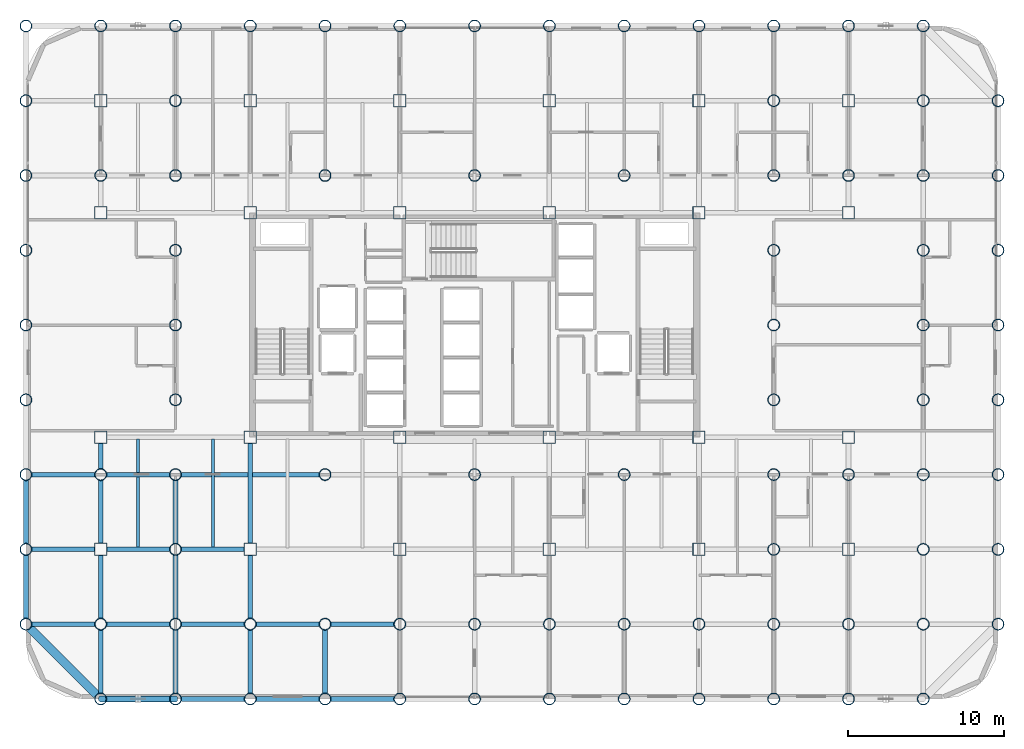
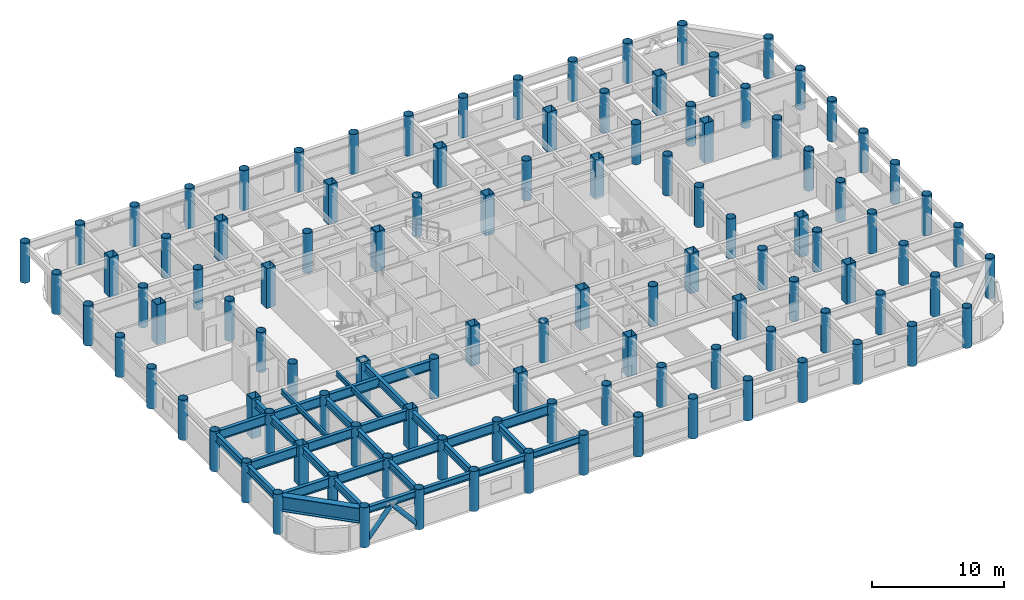
# One storey, part 1 of 20: 108 columns, 31 beams, 2 members.
"""IFC4 building model written with IfcOpenShell, lengths in metres."""

import ifcopenshell
import ifcopenshell.guid

model = None  # the IFC model being written
_history = None  # IfcOwnerHistory: only IFC2X3 demands one
_inside = {}  # id of a spatial element -> (the spatial element, [elements in it])
_under = {}  # id of a project, library or spatial element -> (it, [spatial elements below it])
_declared = {}  # id of a project -> (the project, [libraries it declares])
_typed = {}  # id of a type object -> (the type object, [elements of that type])
_made_of = {}  # id of a material, layer set ... -> (it, [elements and type objects made of it])


def new_model(schema):
    """Start an empty IFC model of exactly this schema.

    Asked for "IFC4X3", IfcOpenShell would pick the latest addendum, in which some entities
    have other attributes; the version numbers below select the first issue.
    IFC2X3 requires an IfcOwnerHistory on every rooted entity: one is made here for all.
    """
    global model, _history
    if schema == "IFC4X3":
        model = ifcopenshell.file(schema_version=(4, 3, 0, 0))
    else:
        model = ifcopenshell.file(schema=schema)
    _inside.clear()
    _under.clear()
    _declared.clear()
    _typed.clear()
    _made_of.clear()
    _history = None
    if model.schema == "IFC2X3":
        org = make("IfcOrganization", Name="unknown")
        user = make(
            "IfcPersonAndOrganization",
            ThePerson=make("IfcPerson", FamilyName="unknown"),
            TheOrganization=org,
        )
        app = make(
            "IfcApplication",
            ApplicationDeveloper=org,
            Version="unknown",
            ApplicationFullName="unknown",
            ApplicationIdentifier="unknown",
        )
        _history = make(
            "IfcOwnerHistory",
            OwningUser=user,
            OwningApplication=app,
            ChangeAction="ADDED",
            CreationDate=0,
        )
    return model


def make(cls, **values):
    """One entity of the class cls with the attributes given. An attribute that is None is left unset."""
    return model.create_entity(
        cls, **{name: value for name, value in values.items() if value is not None}
    )


def rooted(cls, **values):
    """An entity with a GlobalId (a new one), such as an element, a storey or a relation."""
    return make(cls, GlobalId=ifcopenshell.guid.new(), OwnerHistory=_history, **values)


def si_unit(unit_type, name, prefix=None):
    """IfcSIUnit, for example si_unit("LENGTHUNIT", "METRE", prefix="MILLI")."""
    return make("IfcSIUnit", UnitType=unit_type, Prefix=prefix, Name=name)


def assignment(units):
    """IfcUnitAssignment: the units of a project."""
    return None if units is None else make("IfcUnitAssignment", Units=units)


def point(xyz):
    """IfcCartesianPoint."""
    return None if xyz is None else make("IfcCartesianPoint", Coordinates=xyz)


def direction(xyz):
    """IfcDirection."""
    return None if xyz is None else make("IfcDirection", DirectionRatios=xyz)


def frame(location, z_axis=None, x_axis=None):
    """IfcAxis2Placement3D, a coordinate frame: its origin and axes. An axis left out is left unset."""
    return make(
        "IfcAxis2Placement3D",
        Location=point(location),
        Axis=direction(z_axis),
        RefDirection=direction(x_axis),
    )


def frame_2d(location, x_axis=None):
    """IfcAxis2Placement2D, a coordinate frame in the plane: its origin and x axis."""
    return make(
        "IfcAxis2Placement2D", Location=point(location), RefDirection=direction(x_axis)
    )


def origin():
    """The frame at (0, 0, 0) with its axes left unset."""
    return frame((0.0, 0.0, 0.0))


def origin_2d():
    """The frame at (0, 0) in the plane with its x axis left unset."""
    return frame_2d((0.0, 0.0))


def place(relative_to, where):
    """IfcLocalPlacement: puts the frame where relative to a parent placement (None: the world)."""
    return make(
        "IfcLocalPlacement", PlacementRelTo=relative_to, RelativePlacement=where
    )


def context(
    kind, dimensions, precision=None, world=None, true_north=None, identifier=None
):
    """IfcGeometricRepresentationContext, for example the 3D "Model" context."""
    return make(
        "IfcGeometricRepresentationContext",
        ContextIdentifier=identifier,
        ContextType=kind,
        CoordinateSpaceDimension=dimensions,
        Precision=precision,
        WorldCoordinateSystem=world,
        TrueNorth=true_north,
    )


def subcontext(parent, identifier, kind, view, scale=None):
    """IfcGeometricRepresentationSubContext, for example "Body" below "Model"."""
    return make(
        "IfcGeometricRepresentationSubContext",
        ContextIdentifier=identifier,
        ContextType=kind,
        ParentContext=parent,
        TargetScale=scale,
        TargetView=view,
    )


def project(units=None, contexts=None):
    """IfcProject with its units and contexts."""
    return rooted(
        "IfcProject",
        Name="project",
        RepresentationContexts=contexts,
        UnitsInContext=assignment(units),
    )


def spatial(cls, under=None, at=None, **own):
    """A site, building, storey or space (cls), placed at a placement, below another one or the project."""
    s = rooted(cls, ObjectPlacement=at, **own)
    if under is not None:
        _under.setdefault(under.id(), (under, []))[1].append(s)
    return s


def profile(cls, at=None, kind="AREA", **sizes):
    """A parametric profile (cls). Its sizes go by their IFC names, for example OverallWidth=200.0."""
    return make(cls, ProfileType=kind, Position=at, **sizes)


def hollow_rectangle(**sizes):
    """IfcRectangleHollowProfileDef."""
    return profile("IfcRectangleHollowProfileDef", **sizes)


def hollow_circle(**sizes):
    """IfcCircleHollowProfileDef."""
    return profile("IfcCircleHollowProfileDef", **sizes)


def i_section(**sizes):
    """IfcIShapeProfileDef."""
    return profile("IfcIShapeProfileDef", **sizes)


def extrude(swept, where, along, depth):
    """IfcExtrudedAreaSolid: the profile swept, set in the frame where, extruded along a direction by depth."""
    return make(
        "IfcExtrudedAreaSolid",
        SweptArea=swept,
        Position=where,
        ExtrudedDirection=direction(along),
        Depth=depth,
    )


def shape(context_of_items, identifier, shape_type, items):
    """IfcShapeRepresentation: the items that make up one representation, for example the "Body"."""
    return make(
        "IfcShapeRepresentation",
        ContextOfItems=context_of_items,
        RepresentationIdentifier=identifier,
        RepresentationType=shape_type,
        Items=items,
    )


def material(Name=None, Category=None):
    """IfcMaterial."""
    return make("IfcMaterial", Name=Name, Category=Category)


def material_profile(
    of_material, cross_section, Name=None, Category=None, Priority=None
):
    """IfcMaterialProfile: a cross section and its material."""
    return make(
        "IfcMaterialProfile",
        Name=Name,
        Material=of_material,
        Profile=cross_section,
        Priority=Priority,
        Category=Category,
    )


def profile_set(profiles, Name=None, composite=None):
    """IfcMaterialProfileSet."""
    return make(
        "IfcMaterialProfileSet",
        Name=Name,
        MaterialProfiles=profiles,
        CompositeProfile=composite,
    )


def made_of(thing, what):
    """Note that an element or type object is made of a material, layer set ...; save() writes the relation."""
    if what is not None:
        _made_of.setdefault(what.id(), (what, []))[1].append(thing)
    return thing


def type_object(cls, material=None, **own):
    """A type object (cls), such as IfcWallType, which elements share."""
    return made_of(rooted(cls, **own), material)


def element(
    cls,
    number,
    at=None,
    inside=None,
    cuts=None,
    type_object=None,
    material=None,
    context=None,
    identifier="Body",
    shape_type=None,
    held_by="IfcProductDefinitionShape",
    body=None,
    shapes=None,
    **own,
):
    """One element of the class cls, such as IfcWall. Its Tag is "e" and its number.

    at: its placement. inside: the storey or other place that contains it. cuts: it is an
    opening in that element (IfcRelVoidsElement). A single representation is given by context,
    identifier, shape_type and body (its items); several are given by shapes. held_by: the class
    of the entity that holds the representations. save() writes the other relations.
    """
    e = rooted(cls, Tag="e%d" % number, ObjectPlacement=at, **own)
    if body is not None:
        shapes = [shape(context, identifier, shape_type, body)]
    if shapes is not None:
        e.Representation = make(held_by, Representations=shapes)
    if inside is not None:
        _inside.setdefault(inside.id(), (inside, []))[1].append(e)
    if cuts is not None:
        rooted(
            "IfcRelVoidsElement", RelatingBuildingElement=cuts, RelatedOpeningElement=e
        )
    if type_object is not None:
        _typed.setdefault(type_object.id(), (type_object, []))[1].append(e)
    return made_of(e, material)


def aggregate(whole, parts):
    """IfcRelAggregates: a whole, such as a stair, and the parts it consists of."""
    return rooted("IfcRelAggregates", RelatingObject=whole, RelatedObjects=parts)


def save(model, path):
    """Write the relations noted so far, then the file.

    IfcRelAggregates (storeys below a building ...), IfcRelContainedInSpatialStructure (elements
    in a storey), IfcRelDefinesByType, IfcRelAssociatesMaterial and IfcRelDeclares: one each for
    every whole, place, type object, material and project.
    """
    for whole, parts in _under.values():
        aggregate(whole, parts)
    for where, things in _inside.values():
        rooted(
            "IfcRelContainedInSpatialStructure",
            RelatedElements=things,
            RelatingStructure=where,
        )
    for kind, things in _typed.values():
        rooted("IfcRelDefinesByType", RelatedObjects=things, RelatingType=kind)
    for what, things in _made_of.values():
        rooted("IfcRelAssociatesMaterial", RelatedObjects=things, RelatingMaterial=what)
    for by, libraries in _declared.values():
        rooted("IfcRelDeclares", RelatingContext=by, RelatedDefinitions=libraries)
    model.write(path)


model = new_model("IFC4")

# Units and contexts
model_context = context("Model", 3, precision=1e-05, world=origin(), true_north=direction((0.0, 1.0)))
body_context = subcontext(model_context, "Body", "Model", "MODEL_VIEW")
ifc_project = project(units=[si_unit("LENGTHUNIT", "METRE"), si_unit("AREAUNIT", "SQUARE_METRE"), si_unit("VOLUMEUNIT", "CUBIC_METRE"), si_unit("PLANEANGLEUNIT", "RADIAN"), si_unit("MASSUNIT", "GRAM", prefix="KILO")], contexts=[model_context])

# Site, building, storey
site_placement = place(None, origin())
site = spatial("IfcSite", under=ifc_project, at=site_placement, CompositionType="ELEMENT")
building_placement = place(site_placement, origin())
building = spatial("IfcBuilding", under=site, at=building_placement, Name="Kallvorn Hotel Tower", CompositionType="ELEMENT")
storey_placement = place(building_placement, frame((0.0, 0.0, 70.699951171875)))
storey = spatial("IfcBuildingStorey", under=building, at=storey_placement, Name="L16", CompositionType="ELEMENT", Elevation=70.699951171875)

# Columns
ifc_material_1 = material(Name="Structural steel S355J2H", Category="steel")
ifc_material_profile_1 = material_profile(ifc_material_1, hollow_circle(Radius=0.381103515625, WallThickness=0.031982421875, at=origin_2d()), Name="CHS 762x32")
ifc_profile_set_1 = profile_set([ifc_material_profile_1], Name="Structural steel S355J2H")
column_type_1 = type_object("IfcColumnType", Name="COL_CHS_762", PredefinedType="COLUMN", material=ifc_profile_set_1)
for number, where, z_axis, x_axis, name in (
    (1, (-28.800048828125, -19.199951171875, 0.0), (0.0, 0.0, 1.0), (1.0, 0.0, 0.0), "L16 Exoskeleton Column EC01"),
    (2, (-28.800048828125, -14.39990234375, 0.0), (0.0, 0.0, 1.0), (1.0, 0.0, 0.0), "L16 Exoskeleton Column EC02"),
    (3, (-28.800048828125, -9.60009765625, 0.0), (0.0, 0.0, 1.0), (1.0, 0.0, 0.0), "L16 Exoskeleton Column EC03"),
    (4, (-28.800048828125, -4.800048828125, 0.0), (0.0, 0.0, 1.0), (1.0, 0.0, 0.0), "L16 Exoskeleton Column EC04"),
    (5, (-28.800048828125, 0.0, 0.0), (0.0, 0.0, 1.0), (1.0, 0.0, 0.0), "L16 Exoskeleton Column EC05"),
    (6, (-28.800048828125, 4.800048828125, 0.0), (0.0, 0.0, 1.0), (1.0, 0.0, 0.0), "L16 Exoskeleton Column EC06"),
    (7, (-28.800048828125, 9.60009765625, 0.0), (0.0, 0.0, 1.0), (1.0, 0.0, 0.0), "L16 Exoskeleton Column EC07"),
    (8, (-28.800048828125, 14.39990234375, 0.0), (0.0, 0.0, 1.0), (1.0, 0.0, 0.0), "L16 Exoskeleton Column EC08"),
    (9, (-28.800048828125, 19.199951171875, 0.0), (0.0, 0.0, 1.0), (1.0, 0.0, 0.0), "L16 Exoskeleton Column EC09"),
    (10, (-24.0, -24.0, 0.0), (0.0, 0.0, 1.0), (1.0, 0.0, 0.0), "L16 Exoskeleton Column EC10"),
    (11, (-24.0, -19.199951171875, 0.0), (0.0, 0.0, 1.0), (1.0, 0.0, 0.0), "L16 Exoskeleton Column EC11"),
    (12, (-24.0, -9.60009765625, 0.0), (0.0, 0.0, 1.0), (1.0, 0.0, 0.0), "L16 Exoskeleton Column EC12"),
    (13, (-24.0, 9.60009765625, 0.0), (0.0, 0.0, 1.0), (1.0, 0.0, 0.0), "L16 Exoskeleton Column EC13"),
    (14, (-24.0, 19.199951171875, 0.0), (0.0, 0.0, 1.0), (1.0, 0.0, 0.0), "L16 Exoskeleton Column EC14"),
    (15, (-19.199951171875, -24.0, 0.0), (0.0, 0.0, 1.0), (1.0, 0.0, 0.0), "L16 Exoskeleton Column EC15"),
    (16, (-19.199951171875, -19.199951171875, 0.0), (0.0, 0.0, 1.0), (1.0, 0.0, 0.0), "L16 Exoskeleton Column EC16"),
    (17, (-19.199951171875, -14.39990234375, 0.0), (0.0, 0.0, 1.0), (1.0, 0.0, 0.0), "L16 Exoskeleton Column EC17"),
    (18, (-19.199951171875, -9.60009765625, 0.0), (0.0, 0.0, 1.0), (1.0, 0.0, 0.0), "L16 Exoskeleton Column EC18"),
    (19, (-19.199951171875, -4.800048828125, 0.0), (0.0, 0.0, 1.0), (1.0, 0.0, 0.0), "L16 Exoskeleton Column EC19"),
    (20, (-19.199951171875, 0.0, 0.0), (0.0, 0.0, 1.0), (1.0, 0.0, 0.0), "L16 Exoskeleton Column EC20"),
    (21, (-19.199951171875, 4.800048828125, 0.0), (0.0, 0.0, 1.0), (1.0, 0.0, 0.0), "L16 Exoskeleton Column EC21"),
    (22, (-19.199951171875, 9.60009765625, 0.0), (0.0, 0.0, 1.0), (1.0, 0.0, 0.0), "L16 Exoskeleton Column EC22"),
    (23, (-19.199951171875, 14.39990234375, 0.0), (0.0, 0.0, 1.0), (1.0, 0.0, 0.0), "L16 Exoskeleton Column EC23"),
    (24, (-19.199951171875, 19.199951171875, 0.0), (0.0, 0.0, 1.0), (1.0, 0.0, 0.0), "L16 Exoskeleton Column EC24"),
    (25, (-14.39990234375, -24.0, 0.0), (0.0, 0.0, 1.0), (1.0, 0.0, 0.0), "L16 Exoskeleton Column EC25"),
    (26, (-14.39990234375, -19.199951171875, 0.0), (0.0, 0.0, 1.0), (1.0, 0.0, 0.0), "L16 Exoskeleton Column EC26"),
    (27, (-14.39990234375, 19.199951171875, 0.0), (0.0, 0.0, 1.0), (1.0, 0.0, 0.0), "L16 Exoskeleton Column EC27"),
    (28, (-9.60009765625, -24.0, 0.0), (0.0, 0.0, 1.0), (1.0, 0.0, 0.0), "L16 Exoskeleton Column EC28"),
    (29, (-9.60009765625, -19.199951171875, 0.0), (0.0, 0.0, 1.0), (1.0, 0.0, 0.0), "L16 Exoskeleton Column EC29"),
    (30, (-9.60009765625, -9.60009765625, 0.0), (0.0, 0.0, 1.0), (1.0, 0.0, 0.0), "L16 Exoskeleton Column EC30"),
    (31, (-9.60009765625, 9.60009765625, 0.0), (0.0, 0.0, 1.0), (1.0, 0.0, 0.0), "L16 Exoskeleton Column EC31"),
    (32, (-9.60009765625, 19.199951171875, 0.0), (0.0, 0.0, 1.0), (1.0, 0.0, 0.0), "L16 Exoskeleton Column EC32"),
    (33, (-4.800048828125, -24.0, 0.0), (0.0, 0.0, 1.0), (1.0, 0.0, 0.0), "L16 Exoskeleton Column EC33"),
    (34, (-4.800048828125, -19.199951171875, 0.0), (0.0, 0.0, 1.0), (1.0, 0.0, 0.0), "L16 Exoskeleton Column EC34"),
    (35, (-4.800048828125, 19.199951171875, 0.0), (0.0, 0.0, 1.0), (1.0, 0.0, 0.0), "L16 Exoskeleton Column EC35"),
    (36, (0.0, -24.0, 0.0), (0.0, 0.0, 1.0), (1.0, 0.0, 0.0), "L16 Exoskeleton Column EC36"),
    (37, (0.0, -19.199951171875, 0.0), (0.0, 0.0, 1.0), (1.0, 0.0, 0.0), "L16 Exoskeleton Column EC37"),
    (38, (0.0, -9.60009765625, 0.0), (0.0, 0.0, 1.0), (1.0, 0.0, 0.0), "L16 Exoskeleton Column EC38"),
    (39, (0.0, 9.60009765625, 0.0), (0.0, 0.0, 1.0), (1.0, 0.0, 0.0), "L16 Exoskeleton Column EC39"),
    (40, (0.0, 19.199951171875, 0.0), (0.0, 0.0, 1.0), (1.0, 0.0, 0.0), "L16 Exoskeleton Column EC40"),
    (41, (4.800048828125, -24.0, 0.0), (0.0, 0.0, 1.0), (1.0, 0.0, 0.0), "L16 Exoskeleton Column EC41"),
    (42, (4.800048828125, -19.199951171875, 0.0), (0.0, 0.0, 1.0), (1.0, 0.0, 0.0), "L16 Exoskeleton Column EC42"),
    (43, (4.800048828125, 19.199951171875, 0.0), (0.0, 0.0, 1.0), (1.0, 0.0, 0.0), "L16 Exoskeleton Column EC43"),
    (44, (9.60009765625, -24.0, 0.0), (0.0, 0.0, 1.0), (1.0, 0.0, 0.0), "L16 Exoskeleton Column EC44"),
    (45, (9.60009765625, -19.199951171875, 0.0), (0.0, 0.0, 1.0), (1.0, 0.0, 0.0), "L16 Exoskeleton Column EC45"),
    (46, (9.60009765625, -9.60009765625, 0.0), (0.0, 0.0, 1.0), (1.0, 0.0, 0.0), "L16 Exoskeleton Column EC46"),
    (47, (9.60009765625, 9.60009765625, 0.0), (0.0, 0.0, 1.0), (1.0, 0.0, 0.0), "L16 Exoskeleton Column EC47"),
    (48, (9.60009765625, 19.199951171875, 0.0), (0.0, 0.0, 1.0), (1.0, 0.0, 0.0), "L16 Exoskeleton Column EC48"),
    (49, (14.39990234375, -24.0, 0.0), (0.0, 0.0, 1.0), (1.0, 0.0, 0.0), "L16 Exoskeleton Column EC49"),
    (50, (14.39990234375, -19.199951171875, 0.0), (0.0, 0.0, 1.0), (1.0, 0.0, 0.0), "L16 Exoskeleton Column EC50"),
    (51, (14.39990234375, 19.199951171875, 0.0), (0.0, 0.0, 1.0), (1.0, 0.0, 0.0), "L16 Exoskeleton Column EC51"),
    (52, (19.199951171875, -24.0, 0.0), (0.0, 0.0, 1.0), (1.0, 0.0, 0.0), "L16 Exoskeleton Column EC52"),
    (53, (19.199951171875, -19.199951171875, 0.0), (0.0, 0.0, 1.0), (1.0, 0.0, 0.0), "L16 Exoskeleton Column EC53"),
    (54, (19.199951171875, -14.39990234375, 0.0), (0.0, 0.0, 1.0), (1.0, 0.0, 0.0), "L16 Exoskeleton Column EC54"),
    (55, (19.199951171875, -9.60009765625, 0.0), (0.0, 0.0, 1.0), (1.0, 0.0, 0.0), "L16 Exoskeleton Column EC55"),
    (56, (19.199951171875, -4.800048828125, 0.0), (0.0, 0.0, 1.0), (1.0, 0.0, 0.0), "L16 Exoskeleton Column EC56"),
    (57, (19.199951171875, 0.0, 0.0), (0.0, 0.0, 1.0), (1.0, 0.0, 0.0), "L16 Exoskeleton Column EC57"),
    (58, (19.199951171875, 4.800048828125, 0.0), (0.0, 0.0, 1.0), (1.0, 0.0, 0.0), "L16 Exoskeleton Column EC58"),
    (59, (19.199951171875, 9.60009765625, 0.0), (0.0, 0.0, 1.0), (1.0, 0.0, 0.0), "L16 Exoskeleton Column EC59"),
    (60, (19.199951171875, 14.39990234375, 0.0), (0.0, 0.0, 1.0), (1.0, 0.0, 0.0), "L16 Exoskeleton Column EC60"),
    (61, (19.199951171875, 19.199951171875, 0.0), (0.0, 0.0, 1.0), (1.0, 0.0, 0.0), "L16 Exoskeleton Column EC61"),
    (62, (24.0, -24.0, 0.0), (0.0, 0.0, 1.0), (1.0, 0.0, 0.0), "L16 Exoskeleton Column EC62"),
    (63, (24.0, -19.199951171875, 0.0), (0.0, 0.0, 1.0), (1.0, 0.0, 0.0), "L16 Exoskeleton Column EC63"),
    (64, (24.0, -9.60009765625, 0.0), (0.0, 0.0, 1.0), (1.0, 0.0, 0.0), "L16 Exoskeleton Column EC64"),
    (65, (24.0, 9.60009765625, 0.0), (0.0, 0.0, 1.0), (1.0, 0.0, 0.0), "L16 Exoskeleton Column EC65"),
    (66, (24.0, 19.199951171875, 0.0), (0.0, 0.0, 1.0), (1.0, 0.0, 0.0), "L16 Exoskeleton Column EC66"),
    (67, (28.800048828125, -24.0, 0.0), (0.0, 0.0, 1.0), (1.0, 0.0, 0.0), "L16 Exoskeleton Column EC67"),
    (68, (28.800048828125, -19.199951171875, 0.0), (0.0, 0.0, 1.0), (1.0, 0.0, 0.0), "L16 Exoskeleton Column EC68"),
    (69, (28.800048828125, -14.39990234375, 0.0), (0.0, 0.0, 1.0), (1.0, 0.0, 0.0), "L16 Exoskeleton Column EC69"),
    (70, (28.800048828125, -9.60009765625, 0.0), (0.0, 0.0, 1.0), (1.0, 0.0, 0.0), "L16 Exoskeleton Column EC70"),
    (71, (28.800048828125, -4.800048828125, 0.0), (0.0, 0.0, 1.0), (1.0, 0.0, 0.0), "L16 Exoskeleton Column EC71"),
    (72, (28.800048828125, 0.0, 0.0), (0.0, 0.0, 1.0), (1.0, 0.0, 0.0), "L16 Exoskeleton Column EC72"),
    (73, (28.800048828125, 4.800048828125, 0.0), (0.0, 0.0, 1.0), (1.0, 0.0, 0.0), "L16 Exoskeleton Column EC73"),
    (74, (28.800048828125, 9.60009765625, 0.0), (0.0, 0.0, 1.0), (1.0, 0.0, 0.0), "L16 Exoskeleton Column EC74"),
    (75, (28.800048828125, 14.39990234375, 0.0), (0.0, 0.0, 1.0), (1.0, 0.0, 0.0), "L16 Exoskeleton Column EC75"),
    (76, (28.800048828125, 19.199951171875, 0.0), (0.0, 0.0, 1.0), (1.0, 0.0, 0.0), "L16 Exoskeleton Column EC76"),
    (77, (33.60009765625, -19.199951171875, 0.0), (0.0, 0.0, 1.0), (1.0, 0.0, 0.0), "L16 Exoskeleton Column EC77"),
    (78, (33.60009765625, -14.39990234375, 0.0), (0.0, 0.0, 1.0), (1.0, 0.0, 0.0), "L16 Exoskeleton Column EC78"),
    (79, (33.60009765625, -9.60009765625, 0.0), (0.0, 0.0, 1.0), (1.0, 0.0, 0.0), "L16 Exoskeleton Column EC79"),
    (80, (33.60009765625, -4.800048828125, 0.0), (0.0, 0.0, 1.0), (1.0, 0.0, 0.0), "L16 Exoskeleton Column EC80"),
    (81, (33.60009765625, 0.0, 0.0), (0.0, 0.0, 1.0), (1.0, 0.0, 0.0), "L16 Exoskeleton Column EC81"),
    (82, (33.60009765625, 4.800048828125, 0.0), (0.0, 0.0, 1.0), (1.0, 0.0, 0.0), "L16 Exoskeleton Column EC82"),
    (83, (33.60009765625, 9.60009765625, 0.0), (0.0, 0.0, 1.0), (1.0, 0.0, 0.0), "L16 Exoskeleton Column EC83"),
    (84, (33.60009765625, 14.39990234375, 0.0), (0.0, 0.0, 1.0), (1.0, 0.0, 0.0), "L16 Exoskeleton Column EC84"),
):
    element("IfcColumn", number, at=place(storey_placement, frame(where, z_axis=z_axis, x_axis=x_axis)), inside=storey, type_object=column_type_1, Name=name, PredefinedType="COLUMN", context=body_context, shape_type="SweptSolid", body=[
        extrude(hollow_circle(Radius=0.381103515625, WallThickness=0.031982421875, at=origin_2d()), origin(), (0.0, 0.0, 1.0), 3.699951171875),
    ])
ifc_material_2 = material(Name="Structural steel S355J2H", Category="steel")
ifc_material_profile_2 = material_profile(ifc_material_2, hollow_rectangle(XDim=0.800048828125, YDim=0.800048828125, WallThickness=0.035888671875, at=origin_2d()), Name="RHS 800x800x36")
ifc_profile_set_2 = profile_set([ifc_material_profile_2], Name="Structural steel S355J2H")
column_type_2 = type_object("IfcColumnType", Name="COL_RHS_800", PredefinedType="COLUMN", material=ifc_profile_set_2)
for number, where, z_axis, x_axis, name in (
    (85, (-24.0, -14.39990234375, 0.0), (0.0, 0.0, 1.0), (1.0, 0.0, 0.0), "L16 Inner Column IC01"),
    (86, (-24.0, -7.199951171875, 0.0), (0.0, 0.0, 1.0), (1.0, 0.0, 0.0), "L16 Inner Column IC02"),
    (87, (-24.0, 7.199951171875, 0.0), (0.0, 0.0, 1.0), (1.0, 0.0, 0.0), "L16 Inner Column IC03"),
    (88, (-24.0, 14.39990234375, 0.0), (0.0, 0.0, 1.0), (1.0, 0.0, 0.0), "L16 Inner Column IC04"),
    (89, (-14.39990234375, -14.39990234375, 0.0), (0.0, 0.0, 1.0), (1.0, 0.0, 0.0), "L16 Inner Column IC05"),
    (90, (-14.39990234375, -7.199951171875, 0.0), (0.0, 0.0, 1.0), (1.0, 0.0, 0.0), "L16 Inner Column IC06"),
    (91, (-14.39990234375, 7.199951171875, 0.0), (0.0, 0.0, 1.0), (1.0, 0.0, 0.0), "L16 Inner Column IC07"),
    (92, (-14.39990234375, 14.39990234375, 0.0), (0.0, 0.0, 1.0), (1.0, 0.0, 0.0), "L16 Inner Column IC08"),
    (93, (-4.800048828125, -14.39990234375, 0.0), (0.0, 0.0, 1.0), (1.0, 0.0, 0.0), "L16 Inner Column IC09"),
    (94, (-4.800048828125, -7.199951171875, 0.0), (0.0, 0.0, 1.0), (1.0, 0.0, 0.0), "L16 Inner Column IC10"),
    (95, (-4.800048828125, 7.199951171875, 0.0), (0.0, 0.0, 1.0), (1.0, 0.0, 0.0), "L16 Inner Column IC11"),
    (96, (-4.800048828125, 14.39990234375, 0.0), (0.0, 0.0, 1.0), (1.0, 0.0, 0.0), "L16 Inner Column IC12"),
    (97, (4.800048828125, -14.39990234375, 0.0), (0.0, 0.0, 1.0), (1.0, 0.0, 0.0), "L16 Inner Column IC13"),
    (98, (4.800048828125, -7.199951171875, 0.0), (0.0, 0.0, 1.0), (1.0, 0.0, 0.0), "L16 Inner Column IC14"),
    (99, (4.800048828125, 7.199951171875, 0.0), (0.0, 0.0, 1.0), (1.0, 0.0, 0.0), "L16 Inner Column IC15"),
    (100, (4.800048828125, 14.39990234375, 0.0), (0.0, 0.0, 1.0), (1.0, 0.0, 0.0), "L16 Inner Column IC16"),
    (101, (14.39990234375, -14.39990234375, 0.0), (0.0, 0.0, 1.0), (1.0, 0.0, 0.0), "L16 Inner Column IC17"),
    (102, (14.39990234375, -7.199951171875, 0.0), (0.0, 0.0, 1.0), (1.0, 0.0, 0.0), "L16 Inner Column IC18"),
    (103, (14.39990234375, 7.199951171875, 0.0), (0.0, 0.0, 1.0), (1.0, 0.0, 0.0), "L16 Inner Column IC19"),
    (104, (14.39990234375, 14.39990234375, 0.0), (0.0, 0.0, 1.0), (1.0, 0.0, 0.0), "L16 Inner Column IC20"),
    (105, (24.0, -14.39990234375, 0.0), (0.0, 0.0, 1.0), (1.0, 0.0, 0.0), "L16 Inner Column IC21"),
    (106, (24.0, -7.199951171875, 0.0), (0.0, 0.0, 1.0), (1.0, 0.0, 0.0), "L16 Inner Column IC22"),
    (107, (24.0, 7.199951171875, 0.0), (0.0, 0.0, 1.0), (1.0, 0.0, 0.0), "L16 Inner Column IC23"),
    (108, (24.0, 14.39990234375, 0.0), (0.0, 0.0, 1.0), (1.0, 0.0, 0.0), "L16 Inner Column IC24"),
):
    element("IfcColumn", number, at=place(storey_placement, frame(where, z_axis=z_axis, x_axis=x_axis)), inside=storey, type_object=column_type_2, Name=name, PredefinedType="COLUMN", context=body_context, shape_type="SweptSolid", body=[
        extrude(hollow_rectangle(XDim=0.800048828125, YDim=0.800048828125, WallThickness=0.035888671875, at=origin_2d()), origin(), (0.0, 0.0, 1.0), 3.699951171875),
    ])

# Beams
ifc_material_3 = material(Name="Structural steel S355JR", Category="steel")
ifc_material_profile_3 = material_profile(ifc_material_3, i_section(OverallWidth=0.300048828125, OverallDepth=0.60009765625, WebThickness=0.015380859375, FlangeThickness=0.030029296875, at=origin_2d()), Name="HE 600 B")
ifc_profile_set_3 = profile_set([ifc_material_profile_3], Name="Structural steel S355JR")
beam_type_1 = type_object("IfcBeamType", Name="BM_HE600B", PredefinedType="SPANDREL", material=ifc_profile_set_3)
beam_1_placement = place(storey_placement, frame((-23.62890625, -24.0, 3.219970703125), z_axis=(1.0, 0.0, 0.0), x_axis=(0.0, 1.0, 0.0)))
element("IfcBeam", 109, at=beam_1_placement, inside=storey, type_object=beam_type_1, Name="L17 Perimeter Spandrel 151", PredefinedType="SPANDREL", context=body_context, shape_type="SweptSolid", body=[
    extrude(i_section(OverallWidth=0.300048828125, OverallDepth=0.60009765625, WebThickness=0.015380859375, FlangeThickness=0.030029296875, at=origin_2d()), origin(), (0.0, 0.0, 1.0), 4.057861328125),
])
for number, where, z_axis, x_axis, name in (
    (110, (-18.8291015625, -24.0, 3.219970703125), (1.0, 0.0, 0.0), (0.0, 1.0, 0.0), "L17 Perimeter Spandrel 152"),
    (111, (-14.029052734375, -24.0, 3.219970703125), (1.0, 0.0, 0.0), (0.0, 1.0, 0.0), "L17 Perimeter Spandrel 153"),
    (112, (-9.22900390625, -24.0, 3.219970703125), (1.0, 0.0, 0.0), (0.0, 1.0, 0.0), "L17 Perimeter Spandrel 154"),
):
    element("IfcBeam", number, at=place(storey_placement, frame(where, z_axis=z_axis, x_axis=x_axis)), inside=storey, type_object=beam_type_1, Name=name, PredefinedType="SPANDREL", context=body_context, shape_type="SweptSolid", body=[
        extrude(i_section(OverallWidth=0.300048828125, OverallDepth=0.60009765625, WebThickness=0.015380859375, FlangeThickness=0.030029296875, at=origin_2d()), origin(), (0.0, 0.0, 1.0), 4.05810546875),
    ])
ifc_material_4 = material(Name="Structural steel S355JR", Category="steel")
ifc_material_profile_4 = material_profile(ifc_material_4, i_section(OverallWidth=0.300048828125, OverallDepth=0.699951171875, WebThickness=0.01708984375, FlangeThickness=0.031982421875, at=origin_2d()), Name="HE 700 B")
ifc_profile_set_4 = profile_set([ifc_material_profile_4], Name="Structural steel S355JR")
beam_type_2 = type_object("IfcBeamType", Name="BM_HE700B", PredefinedType="BEAM", material=ifc_profile_set_4)
for number, where, z_axis, x_axis, name in (
    (113, (-28.800048828125, -18.843994140625, 3.170166015625), (0.0, 1.0, 0.0), (-1.0, 0.0, 0.0), "L17 Primary Y-Girder 73"),
    (114, (-28.800048828125, -14.0439453125, 3.170166015625), (0.0, 1.0, 0.0), (-1.0, 0.0, 0.0), "L17 Primary Y-Girder 74"),
):
    element("IfcBeam", number, at=place(storey_placement, frame(where, z_axis=z_axis, x_axis=x_axis)), inside=storey, type_object=beam_type_2, Name=name, PredefinedType="BEAM", context=body_context, shape_type="SweptSolid", body=[
        extrude(i_section(OverallWidth=0.300048828125, OverallDepth=0.699951171875, WebThickness=0.01708984375, FlangeThickness=0.031982421875, at=origin_2d()), origin(), (0.0, 0.0, 1.0), 4.087890625),
    ])
beam_2_placement = place(storey_placement, frame((-24.0, -23.64404296875, 3.170166015625), z_axis=(0.0, 1.0, 0.0), x_axis=(-1.0, 0.0, 0.0)))
element("IfcBeam", 115, at=beam_2_placement, inside=storey, type_object=beam_type_2, Name="L17 Primary Y-Girder 81", PredefinedType="BEAM", context=body_context, shape_type="SweptSolid", body=[
    extrude(i_section(OverallWidth=0.300048828125, OverallDepth=0.699951171875, WebThickness=0.01708984375, FlangeThickness=0.031982421875, at=origin_2d()), origin(), (0.0, 0.0, 1.0), 4.088134765625),
])
beam_3_placement = place(storey_placement, frame((-24.0, -18.843994140625, 3.170166015625), z_axis=(0.0, 1.0, 0.0), x_axis=(-1.0, 0.0, 0.0)))
element("IfcBeam", 116, at=beam_3_placement, inside=storey, type_object=beam_type_2, Name="L17 Primary Y-Girder 82", PredefinedType="BEAM", context=body_context, shape_type="SweptSolid", body=[
    extrude(i_section(OverallWidth=0.300048828125, OverallDepth=0.699951171875, WebThickness=0.01708984375, FlangeThickness=0.031982421875, at=origin_2d()), origin(), (0.0, 0.0, 1.0), 4.069091796875),
])
beam_4_placement = place(storey_placement, frame((-24.0, -14.02490234375, 3.170166015625), z_axis=(0.0, 1.0, 0.0), x_axis=(-1.0, 0.0, 0.0)))
element("IfcBeam", 117, at=beam_4_placement, inside=storey, type_object=beam_type_2, Name="L17 Primary Y-Girder 83", PredefinedType="BEAM", context=body_context, shape_type="SweptSolid", body=[
    extrude(i_section(OverallWidth=0.300048828125, OverallDepth=0.699951171875, WebThickness=0.01708984375, FlangeThickness=0.031982421875, at=origin_2d()), origin(), (0.0, 0.0, 1.0), 4.06884765625),
])
beam_5_placement = place(storey_placement, frame((-24.0, -9.243896484375, 3.170166015625), z_axis=(0.0, 1.0, 0.0), x_axis=(-1.0, 0.0, 0.0)))
element("IfcBeam", 118, at=beam_5_placement, inside=storey, type_object=beam_type_2, Name="L17 Primary Y-Girder 84", PredefinedType="BEAM", context=body_context, shape_type="SweptSolid", body=[
    extrude(i_section(OverallWidth=0.300048828125, OverallDepth=0.699951171875, WebThickness=0.01708984375, FlangeThickness=0.031982421875, at=origin_2d()), origin(), (0.0, 0.0, 1.0), 1.6689453125),
])
beam_6_placement = place(storey_placement, frame((-19.199951171875, -23.64404296875, 3.170166015625), z_axis=(0.0, 1.0, 0.0), x_axis=(-1.0, 0.0, 0.0)))
element("IfcBeam", 119, at=beam_6_placement, inside=storey, type_object=beam_type_2, Name="L17 Primary Y-Girder 88", PredefinedType="BEAM", context=body_context, shape_type="SweptSolid", body=[
    extrude(i_section(OverallWidth=0.300048828125, OverallDepth=0.699951171875, WebThickness=0.01708984375, FlangeThickness=0.031982421875, at=origin_2d()), origin(), (0.0, 0.0, 1.0), 4.088134765625),
])
for number, where, z_axis, x_axis, name in (
    (120, (-19.199951171875, -18.843994140625, 3.170166015625), (0.0, 1.0, 0.0), (-1.0, 0.0, 0.0), "L17 Primary Y-Girder 89"),
    (121, (-19.199951171875, -14.0439453125, 3.170166015625), (0.0, 1.0, 0.0), (-1.0, 0.0, 0.0), "L17 Primary Y-Girder 90"),
):
    element("IfcBeam", number, at=place(storey_placement, frame(where, z_axis=z_axis, x_axis=x_axis)), inside=storey, type_object=beam_type_2, Name=name, PredefinedType="BEAM", context=body_context, shape_type="SweptSolid", body=[
        extrude(i_section(OverallWidth=0.300048828125, OverallDepth=0.699951171875, WebThickness=0.01708984375, FlangeThickness=0.031982421875, at=origin_2d()), origin(), (0.0, 0.0, 1.0), 4.087890625),
    ])
beam_7_placement = place(storey_placement, frame((-14.39990234375, -23.64404296875, 3.170166015625), z_axis=(0.0, 1.0, 0.0), x_axis=(-1.0, 0.0, 0.0)))
element("IfcBeam", 122, at=beam_7_placement, inside=storey, type_object=beam_type_2, Name="L17 Primary Y-Girder 97", PredefinedType="BEAM", context=body_context, shape_type="SweptSolid", body=[
    extrude(i_section(OverallWidth=0.300048828125, OverallDepth=0.699951171875, WebThickness=0.01708984375, FlangeThickness=0.031982421875, at=origin_2d()), origin(), (0.0, 0.0, 1.0), 4.088134765625),
])
beam_8_placement = place(storey_placement, frame((-14.39990234375, -18.843994140625, 3.170166015625), z_axis=(0.0, 1.0, 0.0), x_axis=(-1.0, 0.0, 0.0)))
element("IfcBeam", 123, at=beam_8_placement, inside=storey, type_object=beam_type_2, Name="L17 Primary Y-Girder 98", PredefinedType="BEAM", context=body_context, shape_type="SweptSolid", body=[
    extrude(i_section(OverallWidth=0.300048828125, OverallDepth=0.699951171875, WebThickness=0.01708984375, FlangeThickness=0.031982421875, at=origin_2d()), origin(), (0.0, 0.0, 1.0), 4.069091796875),
])
beam_9_placement = place(storey_placement, frame((-14.39990234375, -14.02490234375, 3.170166015625), z_axis=(0.0, 1.0, 0.0), x_axis=(-1.0, 0.0, 0.0)))
element("IfcBeam", 124, at=beam_9_placement, inside=storey, type_object=beam_type_2, Name="L17 Primary Y-Girder 99", PredefinedType="BEAM", context=body_context, shape_type="SweptSolid", body=[
    extrude(i_section(OverallWidth=0.300048828125, OverallDepth=0.699951171875, WebThickness=0.01708984375, FlangeThickness=0.031982421875, at=origin_2d()), origin(), (0.0, 0.0, 1.0), 6.449951171875),
])
beam_10_placement = place(storey_placement, frame((-9.60009765625, -23.64404296875, 3.170166015625), z_axis=(0.0, 1.0, 0.0), x_axis=(-1.0, 0.0, 0.0)))
element("IfcBeam", 125, at=beam_10_placement, inside=storey, type_object=beam_type_2, Name="L17 Primary Y-Girder 102", PredefinedType="BEAM", context=body_context, shape_type="SweptSolid", body=[
    extrude(i_section(OverallWidth=0.300048828125, OverallDepth=0.699951171875, WebThickness=0.01708984375, FlangeThickness=0.031982421875, at=origin_2d()), origin(), (0.0, 0.0, 1.0), 4.088134765625),
])
ifc_material_5 = material(Name="Structural steel S355JR", Category="steel")
ifc_material_profile_5 = material_profile(ifc_material_5, i_section(OverallWidth=0.300048828125, OverallDepth=0.89990234375, WebThickness=0.0185546875, FlangeThickness=0.034912109375, at=origin_2d()), Name="HE 900 B")
ifc_profile_set_5 = profile_set([ifc_material_profile_5], Name="Structural steel S355JR")
beam_type_3 = type_object("IfcBeamType", Name="BM_HE900B", PredefinedType="BEAM", material=ifc_profile_set_5)
for number, where, z_axis, x_axis, name in (
    (126, (-28.444091796875, -19.199951171875, 3.070068359375), (1.0, 0.0, 0.0), (0.0, 1.0, 0.0), "L17 Primary X-Girder 01"),
    (127, (-23.64404296875, -19.199951171875, 3.070068359375), (1.0, 0.0, 0.0), (0.0, 1.0, 0.0), "L17 Primary X-Girder 02"),
):
    element("IfcBeam", number, at=place(storey_placement, frame(where, z_axis=z_axis, x_axis=x_axis)), inside=storey, type_object=beam_type_3, Name=name, PredefinedType="BEAM", context=body_context, shape_type="SweptSolid", body=[
        extrude(i_section(OverallWidth=0.300048828125, OverallDepth=0.89990234375, WebThickness=0.0185546875, FlangeThickness=0.034912109375, at=origin_2d()), origin(), (0.0, 0.0, 1.0), 4.088134765625),
    ])
for number, where, z_axis, x_axis, name in (
    (128, (-18.843994140625, -19.199951171875, 3.070068359375), (1.0, 0.0, 0.0), (0.0, 1.0, 0.0), "L17 Primary X-Girder 03"),
    (129, (-14.0439453125, -19.199951171875, 3.070068359375), (1.0, 0.0, 0.0), (0.0, 1.0, 0.0), "L17 Primary X-Girder 04"),
    (130, (-9.243896484375, -19.199951171875, 3.070068359375), (1.0, 0.0, 0.0), (0.0, 1.0, 0.0), "L17 Primary X-Girder 05"),
):
    element("IfcBeam", number, at=place(storey_placement, frame(where, z_axis=z_axis, x_axis=x_axis)), inside=storey, type_object=beam_type_3, Name=name, PredefinedType="BEAM", context=body_context, shape_type="SweptSolid", body=[
        extrude(i_section(OverallWidth=0.300048828125, OverallDepth=0.89990234375, WebThickness=0.0185546875, FlangeThickness=0.034912109375, at=origin_2d()), origin(), (0.0, 0.0, 1.0), 4.087890625),
    ])
for number, where, z_axis, x_axis, name in (
    (131, (-28.444091796875, -14.39990234375, 3.070068359375), (1.0, 0.0, 0.0), (0.0, 1.0, 0.0), "L17 Primary X-Girder 14"),
    (132, (-23.625, -14.39990234375, 3.070068359375), (1.0, 0.0, 0.0), (0.0, 1.0, 0.0), "L17 Primary X-Girder 15"),
    (133, (-18.843994140625, -14.39990234375, 3.070068359375), (1.0, 0.0, 0.0), (0.0, 1.0, 0.0), "L17 Primary X-Girder 16"),
):
    element("IfcBeam", number, at=place(storey_placement, frame(where, z_axis=z_axis, x_axis=x_axis)), inside=storey, type_object=beam_type_3, Name=name, PredefinedType="BEAM", context=body_context, shape_type="SweptSolid", body=[
        extrude(i_section(OverallWidth=0.300048828125, OverallDepth=0.89990234375, WebThickness=0.0185546875, FlangeThickness=0.034912109375, at=origin_2d()), origin(), (0.0, 0.0, 1.0), 4.069091796875),
    ])
for number, where, z_axis, x_axis, name in (
    (134, (-28.444091796875, -9.60009765625, 3.070068359375), (1.0, 0.0, 0.0), (0.0, 1.0, 0.0), "L17 Primary X-Girder 24"),
    (135, (-23.64404296875, -9.60009765625, 3.070068359375), (1.0, 0.0, 0.0), (0.0, 1.0, 0.0), "L17 Primary X-Girder 25"),
):
    element("IfcBeam", number, at=place(storey_placement, frame(where, z_axis=z_axis, x_axis=x_axis)), inside=storey, type_object=beam_type_3, Name=name, PredefinedType="BEAM", context=body_context, shape_type="SweptSolid", body=[
        extrude(i_section(OverallWidth=0.300048828125, OverallDepth=0.89990234375, WebThickness=0.0185546875, FlangeThickness=0.034912109375, at=origin_2d()), origin(), (0.0, 0.0, 1.0), 4.088134765625),
    ])
beam_11_placement = place(storey_placement, frame((-18.843994140625, -9.60009765625, 3.070068359375), z_axis=(1.0, 0.0, 0.0), x_axis=(0.0, 1.0, 0.0)))
element("IfcBeam", 136, at=beam_11_placement, inside=storey, type_object=beam_type_3, Name="L17 Primary X-Girder 26", PredefinedType="BEAM", context=body_context, shape_type="SweptSolid", body=[
    extrude(i_section(OverallWidth=0.300048828125, OverallDepth=0.89990234375, WebThickness=0.0185546875, FlangeThickness=0.034912109375, at=origin_2d()), origin(), (0.0, 0.0, 1.0), 8.887939453125),
])
ifc_material_6 = material(Name="Structural steel S355JR", Category="steel")
ifc_material_profile_6 = material_profile(ifc_material_6, i_section(OverallWidth=0.18994140625, OverallDepth=0.449951171875, WebThickness=0.009521484375, FlangeThickness=0.0146484375, at=origin_2d()), Name="IPE 450")
ifc_profile_set_6 = profile_set([ifc_material_profile_6], Name="Structural steel S355JR")
beam_type_4 = type_object("IfcBeamType", Name="BM_IPE450", PredefinedType="JOIST", material=ifc_profile_set_6)
for number, where, z_axis, x_axis, name in (
    (137, (-21.60009765625, -14.300048828125, 3.295166015625), (0.0, 1.0, 0.0), (-1.0, 0.0, 0.0), "L17 Secondary Composite Joist 192"),
    (138, (-16.800048828125, -14.300048828125, 3.295166015625), (0.0, 1.0, 0.0), (-1.0, 0.0, 0.0), "L17 Secondary Composite Joist 194"),
):
    element("IfcBeam", number, at=place(storey_placement, frame(where, z_axis=z_axis, x_axis=x_axis)), inside=storey, type_object=beam_type_4, Name=name, PredefinedType="JOIST", context=body_context, shape_type="SweptSolid", body=[
        extrude(i_section(OverallWidth=0.18994140625, OverallDepth=0.449951171875, WebThickness=0.009521484375, FlangeThickness=0.0146484375, at=origin_2d()), origin(), (0.0, 0.0, 1.0), 7.0),
    ])
ifc_material_7 = material(Name="Structural steel S355JR", Category="steel")
ifc_material_profile_7 = material_profile(ifc_material_7, i_section(OverallWidth=0.550048828125, OverallDepth=1.39990234375, WebThickness=0.02490234375, FlangeThickness=0.044921875, at=origin_2d()), Name="PG 1400x550x25x45")
ifc_profile_set_7 = profile_set([ifc_material_profile_7], Name="Structural steel S355JR")
beam_type_5 = type_object("IfcBeamType", Name="BM_PG_1400", PredefinedType="BEAM", material=ifc_profile_set_7)
beam_12_placement = place(storey_placement, frame((-28.53759765625, -19.46240234375, 2.820068359375), z_axis=(0.707106781187, -0.707106781187, 0.0), x_axis=(0.707106781187, 0.707106781187, 0.0)))
element("IfcBeam", 139, at=beam_12_placement, inside=storey, type_object=beam_type_5, Name="L17 Rounded Corner Tie Beam 189", PredefinedType="BEAM", context=body_context, shape_type="SweptSolid", body=[
    extrude(i_section(OverallWidth=0.550048828125, OverallDepth=1.39990234375, WebThickness=0.02490234375, FlangeThickness=0.044921875, at=origin_2d()), origin(), (0.0, 0.0, 1.0), 6.04638671875),
])

# Members
ifc_material_8 = material(Name="Structural steel S355J2H", Category="steel")
ifc_material_profile_8 = material_profile(ifc_material_8, hollow_circle(Radius=0.203125, WallThickness=0.01611328125, at=origin_2d()), Name="CHS 406.4x16")
ifc_profile_set_8 = profile_set([ifc_material_profile_8], Name="Structural steel S355J2H")
member_type = type_object("IfcMemberType", Name="MBR_EXO_CHS406", PredefinedType="BRACE", material=ifc_profile_set_8)
for number, where, z_axis, x_axis, name in (
    (140, (-23.98681640625, -24.0, 0.195068359375), (0.653427382465, 0.0, 0.756989204576), (0.0, 1.0, 0.0), "L16 Exoskeleton K-Brace S1A"),
    (141, (-19.213134765625, -24.0, 0.195068359375), (-0.653427382465, 0.0, 0.756989204576), (0.0, -1.0, 0.0), "L16 Exoskeleton K-Brace S1B"),
):
    element("IfcMember", number, at=place(storey_placement, frame(where, z_axis=z_axis, x_axis=x_axis)), inside=storey, type_object=member_type, Name=name, PredefinedType="BRACE", context=body_context, shape_type="SweptSolid", body=[
        extrude(hollow_circle(Radius=0.203125, WallThickness=0.01611328125, at=origin_2d()), origin(), (0.0, 0.0, 1.0), 3.6328125),
    ])

save(model, "model.ifc")
